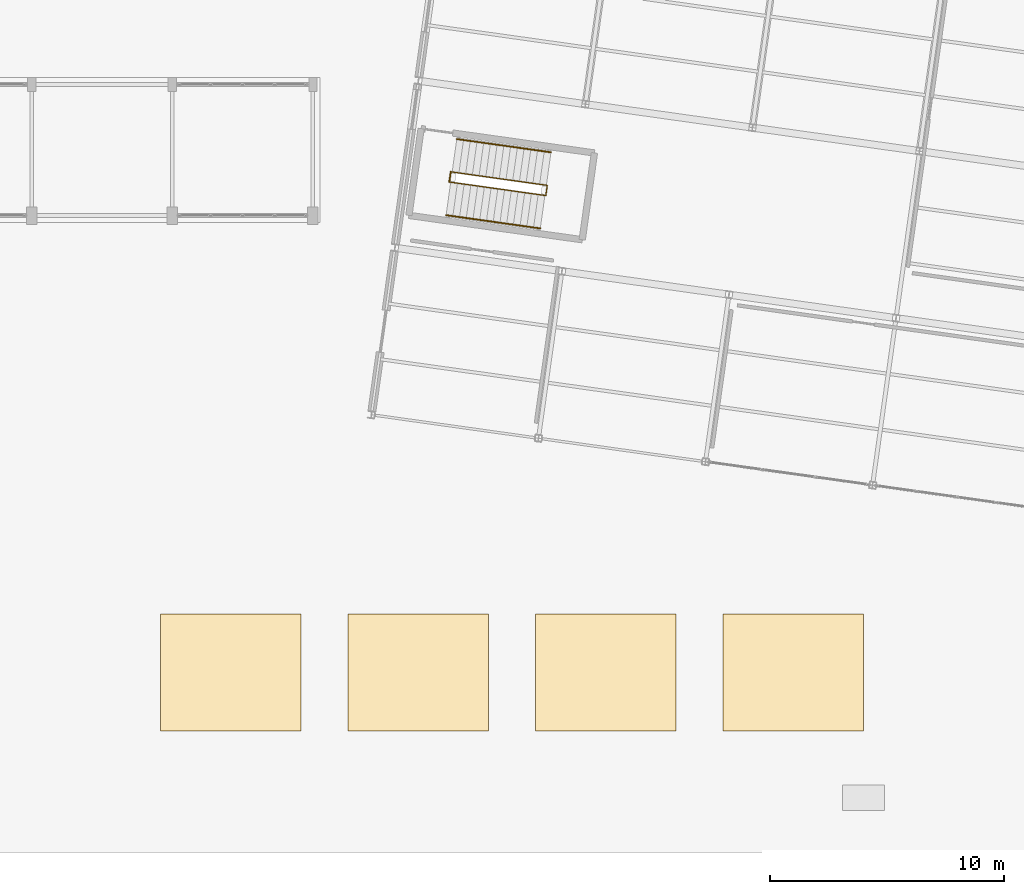
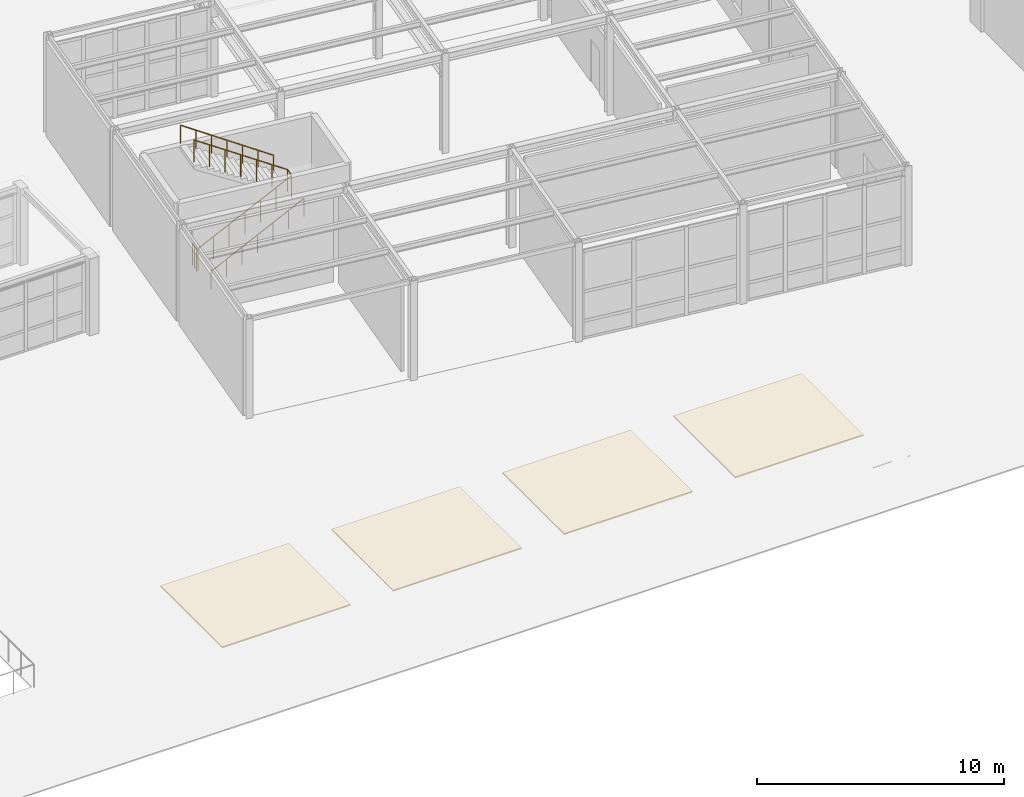
# One storey, part 55 of 57: 4 coverings, 4 railings.
"""IFC4 building model written with IfcOpenShell, lengths in metres."""

from ifc_helpers import new_model, si_unit, direction, frame, origin, origin_2d, place, context, subcontext, project, spatial, polyline, circle, outline, extrude, material, layer, layer_set, type_object, element, save


model = new_model("IFC4")

# Units and contexts
model_context = context("Model", 3, precision=1e-05, world=origin(), true_north=direction((0.0, 1.0)))
body_context = subcontext(model_context, "Body", "Model", "MODEL_VIEW")
ifc_project = project(units=[si_unit("LENGTHUNIT", "METRE"), si_unit("AREAUNIT", "SQUARE_METRE"), si_unit("VOLUMEUNIT", "CUBIC_METRE"), si_unit("PLANEANGLEUNIT", "RADIAN"), si_unit("MASSUNIT", "GRAM", prefix="KILO")], contexts=[model_context])

# Site, building, storey
site_placement = place(None, origin())
site = spatial("IfcSite", under=ifc_project, at=site_placement, CompositionType="ELEMENT")
building_placement = place(site_placement, origin())
building = spatial("IfcBuilding", under=site, at=building_placement, Name="Kharisveld Research Institute", CompositionType="ELEMENT")
storey_placement = place(building_placement, origin())
storey = spatial("IfcBuildingStorey", under=building, at=storey_placement, Name="L00", CompositionType="ELEMENT", Elevation=0.0)

# Coverings
ifc_material_1 = material(Name="Khomas Quartzite Paving", Category="mineral")
ifc_layer = layer(ifc_material_1, 0.06005859375)
ifc_layer_set = layer_set([ifc_layer], Name="CV_PAVE_COURT")
covering_type = type_object("IfcCoveringType", Name="CV_PAVE_COURT", PredefinedType="FLOORING", material=ifc_layer_set)
covering_1_placement = place(storey_placement, frame((0.0, 0.0, -0.1201171875)))
element("IfcCovering", 1, at=covering_1_placement, inside=storey, type_object=covering_type, Name="COV:L00:PAVE_COURT_2", PredefinedType="FLOORING", context=body_context, shape_type="SweptSolid", body=[
    extrude(outline(polyline([(66.0, 4.0), (72.0, 4.0), (72.0, 9.0), (66.0, 9.0), (66.0, 4.0)])), origin(), (0.0, 0.0, 1.0), 0.06005859375),
])
covering_2_placement = place(storey_placement, frame((0.0, 0.0, -0.1201171875)))
element("IfcCovering", 2, at=covering_2_placement, inside=storey, type_object=covering_type, Name="COV:L00:PAVE_COURT_3", PredefinedType="FLOORING", context=body_context, shape_type="SweptSolid", body=[
    extrude(outline(polyline([(74.0, 4.0), (80.0, 4.0), (80.0, 9.0), (74.0, 9.0), (74.0, 4.0)])), origin(), (0.0, 0.0, 1.0), 0.06005859375),
])
covering_3_placement = place(storey_placement, frame((0.0, 0.0, -0.1201171875)))
element("IfcCovering", 3, at=covering_3_placement, inside=storey, type_object=covering_type, Name="COV:L00:PAVE_COURT_4", PredefinedType="FLOORING", context=body_context, shape_type="SweptSolid", body=[
    extrude(outline(polyline([(82.0, 4.0), (88.0, 4.0), (88.0, 9.0), (82.0, 9.0), (82.0, 4.0)])), origin(), (0.0, 0.0, 1.0), 0.06005859375),
])
covering_4_placement = place(storey_placement, frame((0.0, 0.0, -0.1201171875)))
element("IfcCovering", 4, at=covering_4_placement, inside=storey, type_object=covering_type, Name="COV:L00:PAVE_COURT_5", PredefinedType="FLOORING", context=body_context, shape_type="SweptSolid", body=[
    extrude(outline(polyline([(90.0, 4.0), (96.0, 4.0), (96.0, 9.0), (90.0, 9.0), (90.0, 4.0)])), origin(), (0.0, 0.0, 1.0), 0.06005859375),
])

# Railings
ifc_material_2 = material(Name="Steel S355JR", Category="steel")
railing_type_1 = type_object("IfcRailingType", Name="RL_GRD_STR", PredefinedType="GUARDRAIL", material=ifc_material_2)
railing_1_placement = place(storey_placement, frame((78.38427734375, 27.425537109375, 0.0)))
element("IfcRailing", 5, at=railing_1_placement, inside=storey, type_object=railing_type_1, Name="RLG:ST5:L00:GRD_SLOT", PredefinedType="GUARDRAIL", context=body_context, shape_type="SweptSolid", body=[
    extrude(circle(Radius=0.02392578125, at=origin_2d()), frame((0.0, 0.0, 1.09619140625), z_axis=(0.840889991864, -0.118169567708, 0.528147682803), x_axis=(0.139161767817, 0.990269661445, 0.0)), (0.0, 0.0, 1.0), 4.828369140625),
    extrude(circle(Radius=0.02392578125, at=origin_2d()), frame((4.06005859375, -0.570556640625, 3.64599609375), z_axis=(0.139246331265, 0.990257774132, 0.0), x_axis=(-0.990257774132, 0.139246331265, 0.0)), (0.0, 0.0, 1.0), 0.440185546875),
    extrude(circle(Radius=0.02392578125, at=origin_2d()), frame((4.121337890625, -0.134765625, 3.64599609375), z_axis=(-0.840889991864, 0.118169567708, 0.528147682803), x_axis=(-0.139161767817, -0.990269661445, 0.0)), (0.0, 0.0, 1.0), 4.828369140625),
    extrude(circle(Radius=0.02099609375, at=origin_2d()), origin(), (0.0, 0.0, 1.0), 1.072021484375),
    extrude(circle(Radius=0.02099609375, at=origin_2d()), frame((0.6767578125, -0.09521484375, 0.425048828125)), (0.0, 0.0, 1.0), 1.072021484375),
    extrude(circle(Radius=0.02099609375, at=origin_2d()), frame((1.353271484375, -0.190185546875, 0.85009765625)), (0.0, 0.0, 1.0), 1.072021484375),
    extrude(circle(Radius=0.02099609375, at=origin_2d()), frame((2.030029296875, -0.28515625, 1.27490234375)), (0.0, 0.0, 1.0), 1.072021484375),
    extrude(circle(Radius=0.02099609375, at=origin_2d()), frame((2.706787109375, -0.38037109375, 1.699951171875)), (0.0, 0.0, 1.0), 1.072021484375),
    extrude(circle(Radius=0.02099609375, at=origin_2d()), frame((3.38330078125, -0.4755859375, 2.125)), (0.0, 0.0, 1.0), 1.072021484375),
    extrude(circle(Radius=0.02099609375, at=origin_2d()), frame((4.06005859375, -0.570556640625, 2.550048828125)), (0.0, 0.0, 1.0), 1.072021484375),
    extrude(circle(Radius=0.02099609375, at=origin_2d()), frame((4.121337890625, -0.134765625, 2.550048828125)), (0.0, 0.0, 1.0), 1.072021484375),
    extrude(circle(Radius=0.02099609375, at=origin_2d()), frame((3.444580078125, -0.03955078125, 2.97509765625)), (0.0, 0.0, 1.0), 1.072021484375),
    extrude(circle(Radius=0.02099609375, at=origin_2d()), frame((2.76806640625, 0.055419921875, 3.400146484375)), (0.0, 0.0, 1.0), 1.072021484375),
    extrude(circle(Radius=0.02099609375, at=origin_2d()), frame((2.09130859375, 0.150390625, 3.8251953125)), (0.0, 0.0, 1.0), 1.072021484375),
    extrude(circle(Radius=0.02099609375, at=origin_2d()), frame((1.41455078125, 0.24560546875, 4.25)), (0.0, 0.0, 1.0), 1.072021484375),
    extrude(circle(Radius=0.02099609375, at=origin_2d()), frame((0.738037109375, 0.3408203125, 4.675048828125)), (0.0, 0.0, 1.0), 1.072021484375),
    extrude(circle(Radius=0.02099609375, at=origin_2d()), frame((0.061279296875, 0.435791015625, 5.10009765625)), (0.0, 0.0, 1.0), 1.072021484375),
])
railing_2_placement = place(storey_placement, frame((78.324951171875, 27.433837890625, 0.0)))
element("IfcRailing", 6, at=railing_2_placement, inside=storey, type_object=railing_type_1, Name="RLG:ST5:L00:GRD_FLRSLOT", PredefinedType="GUARDRAIL", context=body_context, shape_type="SweptSolid", body=[
    extrude(circle(Radius=0.02392578125, at=origin_2d()), frame((0.0, 0.0, 1.09619140625), z_axis=(0.139246331265, 0.990257774132, 0.0), x_axis=(-0.990257774132, 0.139246331265, 0.0)), (0.0, 0.0, 1.0), 0.440185546875),
    extrude(circle(Radius=0.02099609375, at=origin_2d()), origin(), (0.0, 0.0, 1.0), 1.072021484375),
    extrude(circle(Radius=0.02099609375, at=origin_2d()), frame((0.03076171875, 0.2177734375, 0.0)), (0.0, 0.0, 1.0), 1.072021484375),
    extrude(circle(Radius=0.02099609375, at=origin_2d()), frame((0.061279296875, 0.435791015625, 0.0)), (0.0, 0.0, 1.0), 1.072021484375),
])
ifc_material_3 = material(Name="Stainless Steel 316", Category="steel")
railing_type_2 = type_object("IfcRailingType", Name="RL_HND_STR", PredefinedType="HANDRAIL", material=ifc_material_3)
railing_3_placement = place(storey_placement, frame((78.186767578125, 26.019287109375, 0.0)))
element("IfcRailing", 7, at=railing_3_placement, inside=storey, type_object=railing_type_2, Name="RLG:ST5:L00:HR1", PredefinedType="HANDRAIL", context=body_context, shape_type="SweptSolid", body=[
    extrude(circle(Radius=0.02392578125, at=origin_2d()), frame((0.0, 0.0, 0.89599609375), z_axis=(0.838581962125, -0.117833292468, 0.531879317124), x_axis=(0.139147952924, 0.990271602742, 0.0)), (0.0, 0.0, 1.0), 4.79443359375),
    extrude(circle(Radius=0.02099609375, at=origin_2d()), origin(), (0.0, 0.0, 1.0), 0.871826171875),
    extrude(circle(Radius=0.02099609375, at=origin_2d()), frame((0.670166015625, -0.09423828125, 0.425048828125)), (0.0, 0.0, 1.0), 0.871826171875),
    extrude(circle(Radius=0.02099609375, at=origin_2d()), frame((1.340087890625, -0.188232421875, 0.85009765625)), (0.0, 0.0, 1.0), 0.871826171875),
    extrude(circle(Radius=0.02099609375, at=origin_2d()), frame((2.01025390625, -0.282470703125, 1.27490234375)), (0.0, 0.0, 1.0), 0.871826171875),
    extrude(circle(Radius=0.02099609375, at=origin_2d()), frame((2.680419921875, -0.376708984375, 1.699951171875)), (0.0, 0.0, 1.0), 0.871826171875),
    extrude(circle(Radius=0.02099609375, at=origin_2d()), frame((3.350341796875, -0.470703125, 2.125)), (0.0, 0.0, 1.0), 0.871826171875),
    extrude(circle(Radius=0.02099609375, at=origin_2d()), frame((4.0205078125, -0.56494140625, 2.550048828125)), (0.0, 0.0, 1.0), 0.871826171875),
])
railing_4_placement = place(storey_placement, frame((82.66357421875, 28.702392578125, 2.550048828125)))
element("IfcRailing", 8, at=railing_4_placement, inside=storey, type_object=railing_type_2, Name="RLG:ST5:L00:HR2", PredefinedType="HANDRAIL", context=body_context, shape_type="SweptSolid", body=[
    extrude(circle(Radius=0.02392578125, at=origin_2d()), frame((0.0, 0.0, 0.89599609375), z_axis=(-0.838576929343, 0.117883506888, 0.53187612503), x_axis=(-0.13920692096, -0.990263315062, 0.0)), (0.0, 0.0, 1.0), 4.79443359375),
    extrude(circle(Radius=0.02099609375, at=origin_2d()), origin(), (0.0, 0.0, 1.0), 0.871826171875),
    extrude(circle(Radius=0.02099609375, at=origin_2d()), frame((-0.670166015625, 0.09423828125, 0.425048828125)), (0.0, 0.0, 1.0), 0.871826171875),
    extrude(circle(Radius=0.02099609375, at=origin_2d()), frame((-1.340087890625, 0.1884765625, 0.85009765625)), (0.0, 0.0, 1.0), 0.871826171875),
    extrude(circle(Radius=0.02099609375, at=origin_2d()), frame((-2.01025390625, 0.28271484375, 1.27490234375)), (0.0, 0.0, 1.0), 0.871826171875),
    extrude(circle(Radius=0.02099609375, at=origin_2d()), frame((-2.680419921875, 0.376708984375, 1.699951171875)), (0.0, 0.0, 1.0), 0.871826171875),
    extrude(circle(Radius=0.02099609375, at=origin_2d()), frame((-3.350341796875, 0.470947265625, 2.125)), (0.0, 0.0, 1.0), 0.871826171875),
    extrude(circle(Radius=0.02099609375, at=origin_2d()), frame((-4.0205078125, 0.565185546875, 2.550048828125)), (0.0, 0.0, 1.0), 0.871826171875),
])

save(model, "model.ifc")
